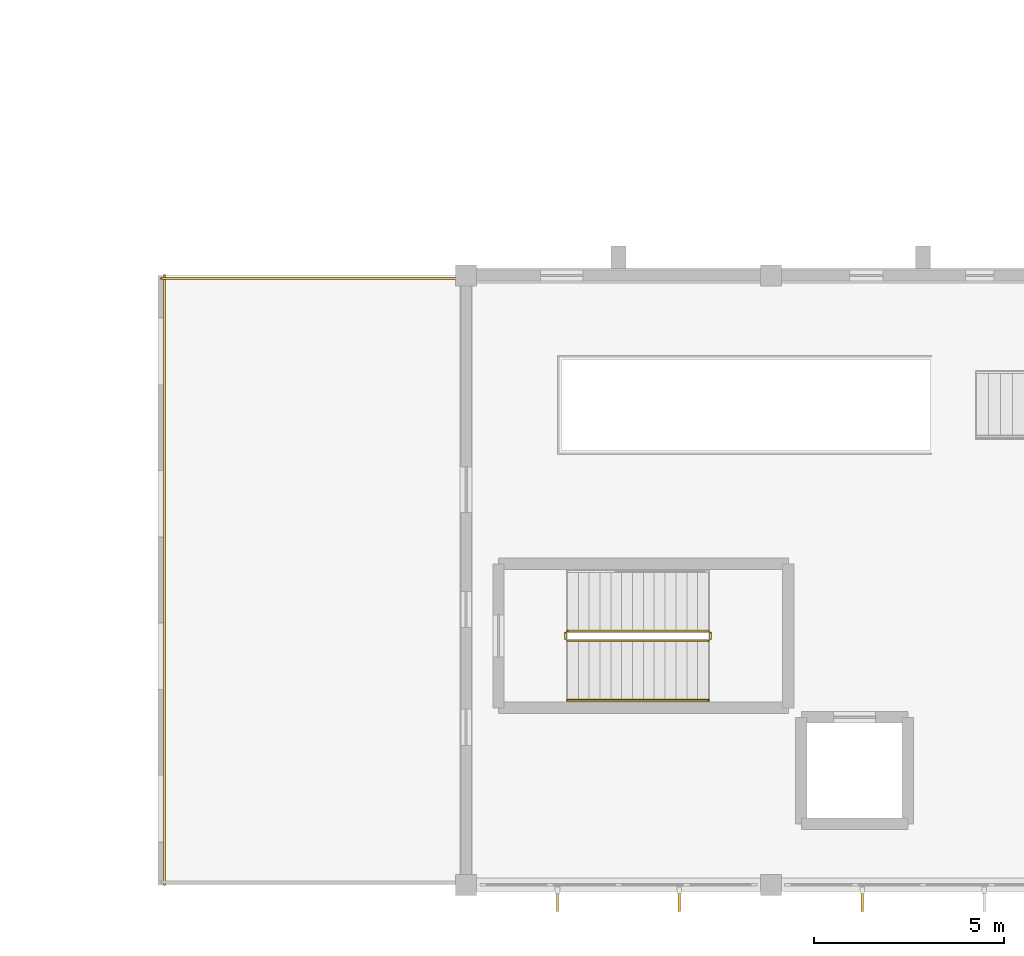
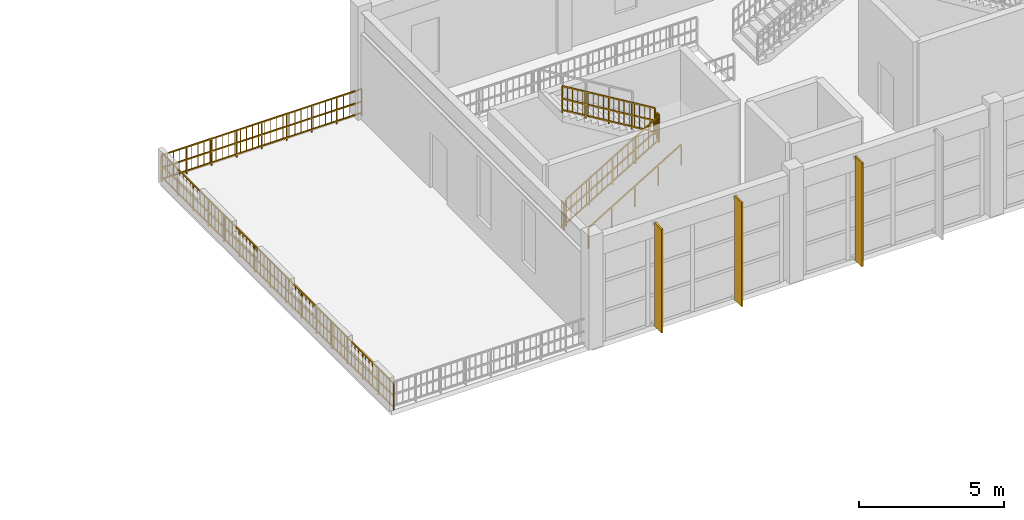
# One storey, part 53 of 59: 7 railings, 3 shading devices.
"""IFC4 building model written with IfcOpenShell, lengths in metres."""

from ifc_helpers import new_model, si_unit, direction, frame, origin, origin_2d, place, context, subcontext, project, spatial, rectangle, extrude, material, layer, layer_set, type_object, element, save


model = new_model("IFC4")

# Units and contexts
model_context = context("Model", 3, precision=1e-05, world=origin(), true_north=direction((0.0, 1.0)))
body_context = subcontext(model_context, "Body", "Model", "MODEL_VIEW")
ifc_project = project(units=[si_unit("LENGTHUNIT", "METRE"), si_unit("AREAUNIT", "SQUARE_METRE"), si_unit("VOLUMEUNIT", "CUBIC_METRE"), si_unit("PLANEANGLEUNIT", "RADIAN"), si_unit("MASSUNIT", "GRAM", prefix="KILO")], contexts=[model_context])

# Site, building, storey
site_placement = place(None, origin())
site = spatial("IfcSite", under=ifc_project, at=site_placement, CompositionType="ELEMENT")
building_placement = place(site_placement, origin())
building = spatial("IfcBuilding", under=site, at=building_placement, Name="Serraluz Foothill Cableway Terminal", CompositionType="ELEMENT")
storey_placement = place(building_placement, frame((0.0, 0.0, 4.800048828125)))
storey = spatial("IfcBuildingStorey", under=building, at=storey_placement, Name="L01", CompositionType="ELEMENT", Elevation=4.800048828125)

# Railings
ifc_material_1 = material(Name="Steel ASTM A572 Grade 50", Category="steel")
ifc_layer_1 = layer(ifc_material_1, 0.06005859375, Name="Steel ASTM A572 Grade 50", Category="steel")
ifc_layer_set_1 = layer_set([ifc_layer_1], Name="Steel ASTM A572 Grade 50")
railing_type_1 = type_object("IfcRailingType", Name="TYP-RL-BAL-1150", PredefinedType="BALUSTRADE", material=ifc_layer_set_1)
railing_1_placement = place(storey_placement, frame((88.080078125, 16.0, 0.0)))
element("IfcRailing", 1, at=railing_1_placement, inside=storey, type_object=railing_type_1, Name="BALUSTRADE BAL-TER-L01-V3-1", PredefinedType="BALUSTRADE", context=body_context, shape_type="SweptSolid", body=[
    extrude(rectangle(XDim=0.048095703125, YDim=0.048095703125, at=origin_2d()), frame((0.0, 0.0, 1.1259765625), z_axis=(0.0, -1.0, 0.0), x_axis=(1.0, 0.0, 0.0)), (0.0, 0.0, 1.0), 16.0),
    extrude(rectangle(XDim=0.048095703125, YDim=0.048095703125, at=origin_2d()), frame((0.0, 0.0, 0.597900390625), z_axis=(0.0, -1.0, 0.0), x_axis=(1.0, 0.0, 0.0)), (0.0, 0.0, 1.0), 16.0),
    extrude(rectangle(XDim=0.048095703125, YDim=0.048095703125, at=origin_2d()), frame((0.0, 0.0, 0.1201171875), z_axis=(0.0, -1.0, 0.0), x_axis=(1.0, 0.0, 0.0)), (0.0, 0.0, 1.0), 16.0),
    extrude(rectangle(XDim=0.02001953125, YDim=0.02001953125, at=origin_2d()), frame((0.0, -0.242431640625, 0.1201171875)), (0.0, 0.0, 1.0), 0.981689453125),
    extrude(rectangle(XDim=0.02001953125, YDim=0.02001953125, at=origin_2d()), frame((0.0, -0.48486328125, 0.1201171875)), (0.0, 0.0, 1.0), 0.981689453125),
    extrude(rectangle(XDim=0.02001953125, YDim=0.02001953125, at=origin_2d()), frame((0.0, -0.727294921875, 0.1201171875)), (0.0, 0.0, 1.0), 0.981689453125),
    extrude(rectangle(XDim=0.02001953125, YDim=0.02001953125, at=origin_2d()), frame((0.0, -0.9697265625, 0.1201171875)), (0.0, 0.0, 1.0), 0.981689453125),
    extrude(rectangle(XDim=0.02001953125, YDim=0.02001953125, at=origin_2d()), frame((0.0, -1.212158203125, 0.1201171875)), (0.0, 0.0, 1.0), 0.981689453125),
    extrude(rectangle(XDim=0.02001953125, YDim=0.02001953125, at=origin_2d()), frame((0.0, -1.45458984375, 0.1201171875)), (0.0, 0.0, 1.0), 0.981689453125),
    extrude(rectangle(XDim=0.02001953125, YDim=0.02001953125, at=origin_2d()), frame((0.0, -1.697021484375, 0.1201171875)), (0.0, 0.0, 1.0), 0.981689453125),
    extrude(rectangle(XDim=0.02001953125, YDim=0.02001953125, at=origin_2d()), frame((0.0, -1.939453125, 0.1201171875)), (0.0, 0.0, 1.0), 0.981689453125),
    extrude(rectangle(XDim=0.02001953125, YDim=0.02001953125, at=origin_2d()), frame((0.0, -2.42431640625, 0.1201171875)), (0.0, 0.0, 1.0), 0.981689453125),
    extrude(rectangle(XDim=0.02001953125, YDim=0.02001953125, at=origin_2d()), frame((0.0, -2.666748046875, 0.1201171875)), (0.0, 0.0, 1.0), 0.981689453125),
    extrude(rectangle(XDim=0.02001953125, YDim=0.02001953125, at=origin_2d()), frame((0.0, -2.9091796875, 0.1201171875)), (0.0, 0.0, 1.0), 0.981689453125),
    extrude(rectangle(XDim=0.02001953125, YDim=0.02001953125, at=origin_2d()), frame((0.0, -3.39404296875, 0.1201171875)), (0.0, 0.0, 1.0), 0.981689453125),
    extrude(rectangle(XDim=0.02001953125, YDim=0.02001953125, at=origin_2d()), frame((0.0, -3.636474609375, 0.1201171875)), (0.0, 0.0, 1.0), 0.981689453125),
    extrude(rectangle(XDim=0.02001953125, YDim=0.02001953125, at=origin_2d()), frame((0.0, -3.87890625, 0.1201171875)), (0.0, 0.0, 1.0), 0.981689453125),
    extrude(rectangle(XDim=0.02001953125, YDim=0.02001953125, at=origin_2d()), frame((0.0, -4.12109375, 0.1201171875)), (0.0, 0.0, 1.0), 0.981689453125),
    extrude(rectangle(XDim=0.02001953125, YDim=0.02001953125, at=origin_2d()), frame((0.0, -4.363525390625, 0.1201171875)), (0.0, 0.0, 1.0), 0.981689453125),
    extrude(rectangle(XDim=0.02001953125, YDim=0.02001953125, at=origin_2d()), frame((0.0, -4.60595703125, 0.1201171875)), (0.0, 0.0, 1.0), 0.981689453125),
    extrude(rectangle(XDim=0.02001953125, YDim=0.02001953125, at=origin_2d()), frame((0.0, -4.848388671875, 0.1201171875)), (0.0, 0.0, 1.0), 0.981689453125),
    extrude(rectangle(XDim=0.02001953125, YDim=0.02001953125, at=origin_2d()), frame((0.0, -5.0908203125, 0.1201171875)), (0.0, 0.0, 1.0), 0.981689453125),
    extrude(rectangle(XDim=0.02001953125, YDim=0.02001953125, at=origin_2d()), frame((0.0, -5.57568359375, 0.1201171875)), (0.0, 0.0, 1.0), 0.981689453125),
    extrude(rectangle(XDim=0.02001953125, YDim=0.02001953125, at=origin_2d()), frame((0.0, -5.818115234375, 0.1201171875)), (0.0, 0.0, 1.0), 0.981689453125),
    extrude(rectangle(XDim=0.02001953125, YDim=0.02001953125, at=origin_2d()), frame((0.0, -6.060546875, 0.1201171875)), (0.0, 0.0, 1.0), 0.981689453125),
    extrude(rectangle(XDim=0.02001953125, YDim=0.02001953125, at=origin_2d()), frame((0.0, -6.302978515625, 0.1201171875)), (0.0, 0.0, 1.0), 0.981689453125),
    extrude(rectangle(XDim=0.02001953125, YDim=0.02001953125, at=origin_2d()), frame((0.0, -6.54541015625, 0.1201171875)), (0.0, 0.0, 1.0), 0.981689453125),
    extrude(rectangle(XDim=0.02001953125, YDim=0.02001953125, at=origin_2d()), frame((0.0, -6.787841796875, 0.1201171875)), (0.0, 0.0, 1.0), 0.981689453125),
    extrude(rectangle(XDim=0.02001953125, YDim=0.02001953125, at=origin_2d()), frame((0.0, -7.0302734375, 0.1201171875)), (0.0, 0.0, 1.0), 0.981689453125),
    extrude(rectangle(XDim=0.02001953125, YDim=0.02001953125, at=origin_2d()), frame((0.0, -7.272705078125, 0.1201171875)), (0.0, 0.0, 1.0), 0.981689453125),
    extrude(rectangle(XDim=0.02001953125, YDim=0.02001953125, at=origin_2d()), frame((0.0, -7.757568359375, 0.1201171875)), (0.0, 0.0, 1.0), 0.981689453125),
    extrude(rectangle(XDim=0.02001953125, YDim=0.02001953125, at=origin_2d()), frame((0.0, -8.0, 0.1201171875)), (0.0, 0.0, 1.0), 0.981689453125),
    extrude(rectangle(XDim=0.02001953125, YDim=0.02001953125, at=origin_2d()), frame((0.0, -8.242431640625, 0.1201171875)), (0.0, 0.0, 1.0), 0.981689453125),
    extrude(rectangle(XDim=0.02001953125, YDim=0.02001953125, at=origin_2d()), frame((0.0, -8.727294921875, 0.1201171875)), (0.0, 0.0, 1.0), 0.981689453125),
    extrude(rectangle(XDim=0.02001953125, YDim=0.02001953125, at=origin_2d()), frame((0.0, -8.9697265625, 0.1201171875)), (0.0, 0.0, 1.0), 0.981689453125),
    extrude(rectangle(XDim=0.02001953125, YDim=0.02001953125, at=origin_2d()), frame((0.0, -9.212158203125, 0.1201171875)), (0.0, 0.0, 1.0), 0.981689453125),
    extrude(rectangle(XDim=0.02001953125, YDim=0.02001953125, at=origin_2d()), frame((0.0, -9.45458984375, 0.1201171875)), (0.0, 0.0, 1.0), 0.981689453125),
    extrude(rectangle(XDim=0.02001953125, YDim=0.02001953125, at=origin_2d()), frame((0.0, -9.697021484375, 0.1201171875)), (0.0, 0.0, 1.0), 0.981689453125),
    extrude(rectangle(XDim=0.02001953125, YDim=0.02001953125, at=origin_2d()), frame((0.0, -9.939453125, 0.1201171875)), (0.0, 0.0, 1.0), 0.981689453125),
    extrude(rectangle(XDim=0.02001953125, YDim=0.02001953125, at=origin_2d()), frame((0.0, -10.181884765625, 0.1201171875)), (0.0, 0.0, 1.0), 0.981689453125),
    extrude(rectangle(XDim=0.02001953125, YDim=0.02001953125, at=origin_2d()), frame((0.0, -10.42431640625, 0.1201171875)), (0.0, 0.0, 1.0), 0.981689453125),
    extrude(rectangle(XDim=0.02001953125, YDim=0.02001953125, at=origin_2d()), frame((0.0, -10.9091796875, 0.1201171875)), (0.0, 0.0, 1.0), 0.981689453125),
    extrude(rectangle(XDim=0.02001953125, YDim=0.02001953125, at=origin_2d()), frame((0.0, -11.151611328125, 0.1201171875)), (0.0, 0.0, 1.0), 0.981689453125),
    extrude(rectangle(XDim=0.02001953125, YDim=0.02001953125, at=origin_2d()), frame((0.0, -11.39404296875, 0.1201171875)), (0.0, 0.0, 1.0), 0.981689453125),
    extrude(rectangle(XDim=0.02001953125, YDim=0.02001953125, at=origin_2d()), frame((0.0, -11.636474609375, 0.1201171875)), (0.0, 0.0, 1.0), 0.981689453125),
    extrude(rectangle(XDim=0.02001953125, YDim=0.02001953125, at=origin_2d()), frame((0.0, -11.87890625, 0.1201171875)), (0.0, 0.0, 1.0), 0.981689453125),
    extrude(rectangle(XDim=0.02001953125, YDim=0.02001953125, at=origin_2d()), frame((0.0, -12.12109375, 0.1201171875)), (0.0, 0.0, 1.0), 0.981689453125),
    extrude(rectangle(XDim=0.02001953125, YDim=0.02001953125, at=origin_2d()), frame((0.0, -12.363525390625, 0.1201171875)), (0.0, 0.0, 1.0), 0.981689453125),
    extrude(rectangle(XDim=0.02001953125, YDim=0.02001953125, at=origin_2d()), frame((0.0, -12.60595703125, 0.1201171875)), (0.0, 0.0, 1.0), 0.981689453125),
    extrude(rectangle(XDim=0.02001953125, YDim=0.02001953125, at=origin_2d()), frame((0.0, -13.0908203125, 0.1201171875)), (0.0, 0.0, 1.0), 0.981689453125),
    extrude(rectangle(XDim=0.02001953125, YDim=0.02001953125, at=origin_2d()), frame((0.0, -13.333251953125, 0.1201171875)), (0.0, 0.0, 1.0), 0.981689453125),
    extrude(rectangle(XDim=0.02001953125, YDim=0.02001953125, at=origin_2d()), frame((0.0, -13.57568359375, 0.1201171875)), (0.0, 0.0, 1.0), 0.981689453125),
    extrude(rectangle(XDim=0.02001953125, YDim=0.02001953125, at=origin_2d()), frame((0.0, -14.060546875, 0.1201171875)), (0.0, 0.0, 1.0), 0.981689453125),
    extrude(rectangle(XDim=0.02001953125, YDim=0.02001953125, at=origin_2d()), frame((0.0, -14.302978515625, 0.1201171875)), (0.0, 0.0, 1.0), 0.981689453125),
    extrude(rectangle(XDim=0.02001953125, YDim=0.02001953125, at=origin_2d()), frame((0.0, -14.54541015625, 0.1201171875)), (0.0, 0.0, 1.0), 0.981689453125),
    extrude(rectangle(XDim=0.02001953125, YDim=0.02001953125, at=origin_2d()), frame((0.0, -14.787841796875, 0.1201171875)), (0.0, 0.0, 1.0), 0.981689453125),
    extrude(rectangle(XDim=0.02001953125, YDim=0.02001953125, at=origin_2d()), frame((0.0, -15.0302734375, 0.1201171875)), (0.0, 0.0, 1.0), 0.981689453125),
    extrude(rectangle(XDim=0.02001953125, YDim=0.02001953125, at=origin_2d()), frame((0.0, -15.272705078125, 0.1201171875)), (0.0, 0.0, 1.0), 0.981689453125),
    extrude(rectangle(XDim=0.02001953125, YDim=0.02001953125, at=origin_2d()), frame((0.0, -15.51513671875, 0.1201171875)), (0.0, 0.0, 1.0), 0.981689453125),
    extrude(rectangle(XDim=0.02001953125, YDim=0.02001953125, at=origin_2d()), frame((0.0, -15.757568359375, 0.1201171875)), (0.0, 0.0, 1.0), 0.981689453125),
    extrude(rectangle(XDim=0.0439453125, YDim=0.0439453125, at=origin_2d()), origin(), (0.0, 0.0, 1.0), 1.101806640625),
    extrude(rectangle(XDim=0.0439453125, YDim=0.0439453125, at=origin_2d()), frame((0.0, -1.066650390625, 0.0)), (0.0, 0.0, 1.0), 1.101806640625),
    extrude(rectangle(XDim=0.0439453125, YDim=0.0439453125, at=origin_2d()), frame((0.0, -2.13330078125, 0.0)), (0.0, 0.0, 1.0), 1.101806640625),
    extrude(rectangle(XDim=0.0439453125, YDim=0.0439453125, at=origin_2d()), frame((0.0, -3.199951171875, 0.0)), (0.0, 0.0, 1.0), 1.101806640625),
    extrude(rectangle(XDim=0.0439453125, YDim=0.0439453125, at=origin_2d()), frame((0.0, -4.2666015625, 0.0)), (0.0, 0.0, 1.0), 1.101806640625),
    extrude(rectangle(XDim=0.0439453125, YDim=0.0439453125, at=origin_2d()), frame((0.0, -5.333251953125, 0.0)), (0.0, 0.0, 1.0), 1.101806640625),
    extrude(rectangle(XDim=0.0439453125, YDim=0.0439453125, at=origin_2d()), frame((0.0, -6.39990234375, 0.0)), (0.0, 0.0, 1.0), 1.101806640625),
    extrude(rectangle(XDim=0.0439453125, YDim=0.0439453125, at=origin_2d()), frame((0.0, -7.466552734375, 0.0)), (0.0, 0.0, 1.0), 1.101806640625),
    extrude(rectangle(XDim=0.0439453125, YDim=0.0439453125, at=origin_2d()), frame((0.0, -8.533447265625, 0.0)), (0.0, 0.0, 1.0), 1.101806640625),
    extrude(rectangle(XDim=0.0439453125, YDim=0.0439453125, at=origin_2d()), frame((0.0, -9.60009765625, 0.0)), (0.0, 0.0, 1.0), 1.101806640625),
    extrude(rectangle(XDim=0.0439453125, YDim=0.0439453125, at=origin_2d()), frame((0.0, -10.666748046875, 0.0)), (0.0, 0.0, 1.0), 1.101806640625),
    extrude(rectangle(XDim=0.0439453125, YDim=0.0439453125, at=origin_2d()), frame((0.0, -11.7333984375, 0.0)), (0.0, 0.0, 1.0), 1.101806640625),
    extrude(rectangle(XDim=0.0439453125, YDim=0.0439453125, at=origin_2d()), frame((0.0, -12.800048828125, 0.0)), (0.0, 0.0, 1.0), 1.101806640625),
    extrude(rectangle(XDim=0.0439453125, YDim=0.0439453125, at=origin_2d()), frame((0.0, -13.86669921875, 0.0)), (0.0, 0.0, 1.0), 1.101806640625),
    extrude(rectangle(XDim=0.0439453125, YDim=0.0439453125, at=origin_2d()), frame((0.0, -14.933349609375, 0.0)), (0.0, 0.0, 1.0), 1.101806640625),
    extrude(rectangle(XDim=0.0439453125, YDim=0.0439453125, at=origin_2d()), frame((0.0, -16.0, 0.0)), (0.0, 0.0, 1.0), 1.101806640625),
])
railing_2_placement = place(storey_placement, frame((88.0, 15.919921875, 0.0)))
element("IfcRailing", 2, at=railing_2_placement, inside=storey, type_object=railing_type_1, Name="BALUSTRADE BAL-TER-L01-V3-3", PredefinedType="BALUSTRADE", context=body_context, shape_type="SweptSolid", body=[
    extrude(rectangle(XDim=0.048095703125, YDim=0.048095703125, at=origin_2d()), frame((0.0, 0.0, 1.1259765625), z_axis=(1.0, 0.0, 0.0), x_axis=(0.0, 1.0, 0.0)), (0.0, 0.0, 1.0), 8.0),
    extrude(rectangle(XDim=0.048095703125, YDim=0.048095703125, at=origin_2d()), frame((0.0, 0.0, 0.597900390625), z_axis=(1.0, 0.0, 0.0), x_axis=(0.0, 1.0, 0.0)), (0.0, 0.0, 1.0), 8.0),
    extrude(rectangle(XDim=0.048095703125, YDim=0.048095703125, at=origin_2d()), frame((0.0, 0.0, 0.1201171875), z_axis=(1.0, 0.0, 0.0), x_axis=(0.0, 1.0, 0.0)), (0.0, 0.0, 1.0), 8.0),
    extrude(rectangle(XDim=0.02001953125, YDim=0.02001953125, at=origin_2d()), frame((0.242431640625, 0.0, 0.1201171875)), (0.0, 0.0, 1.0), 0.981689453125),
    extrude(rectangle(XDim=0.02001953125, YDim=0.02001953125, at=origin_2d()), frame((0.48486328125, 0.0, 0.1201171875)), (0.0, 0.0, 1.0), 0.981689453125),
    extrude(rectangle(XDim=0.02001953125, YDim=0.02001953125, at=origin_2d()), frame((0.727294921875, 0.0, 0.1201171875)), (0.0, 0.0, 1.0), 0.981689453125),
    extrude(rectangle(XDim=0.02001953125, YDim=0.02001953125, at=origin_2d()), frame((1.212158203125, 0.0, 0.1201171875)), (0.0, 0.0, 1.0), 0.981689453125),
    extrude(rectangle(XDim=0.02001953125, YDim=0.02001953125, at=origin_2d()), frame((1.45458984375, 0.0, 0.1201171875)), (0.0, 0.0, 1.0), 0.981689453125),
    extrude(rectangle(XDim=0.02001953125, YDim=0.02001953125, at=origin_2d()), frame((1.697021484375, 0.0, 0.1201171875)), (0.0, 0.0, 1.0), 0.981689453125),
    extrude(rectangle(XDim=0.02001953125, YDim=0.02001953125, at=origin_2d()), frame((1.939453125, 0.0, 0.1201171875)), (0.0, 0.0, 1.0), 0.981689453125),
    extrude(rectangle(XDim=0.02001953125, YDim=0.02001953125, at=origin_2d()), frame((2.181884765625, 0.0, 0.1201171875)), (0.0, 0.0, 1.0), 0.981689453125),
    extrude(rectangle(XDim=0.02001953125, YDim=0.02001953125, at=origin_2d()), frame((2.42431640625, 0.0, 0.1201171875)), (0.0, 0.0, 1.0), 0.981689453125),
    extrude(rectangle(XDim=0.02001953125, YDim=0.02001953125, at=origin_2d()), frame((2.666748046875, 0.0, 0.1201171875)), (0.0, 0.0, 1.0), 0.981689453125),
    extrude(rectangle(XDim=0.02001953125, YDim=0.02001953125, at=origin_2d()), frame((2.9091796875, 0.0, 0.1201171875)), (0.0, 0.0, 1.0), 0.981689453125),
    extrude(rectangle(XDim=0.02001953125, YDim=0.02001953125, at=origin_2d()), frame((3.151611328125, 0.0, 0.1201171875)), (0.0, 0.0, 1.0), 0.981689453125),
    extrude(rectangle(XDim=0.02001953125, YDim=0.02001953125, at=origin_2d()), frame((3.39404296875, 0.0, 0.1201171875)), (0.0, 0.0, 1.0), 0.981689453125),
    extrude(rectangle(XDim=0.02001953125, YDim=0.02001953125, at=origin_2d()), frame((3.636474609375, 0.0, 0.1201171875)), (0.0, 0.0, 1.0), 0.981689453125),
    extrude(rectangle(XDim=0.02001953125, YDim=0.02001953125, at=origin_2d()), frame((3.87890625, 0.0, 0.1201171875)), (0.0, 0.0, 1.0), 0.981689453125),
    extrude(rectangle(XDim=0.02001953125, YDim=0.02001953125, at=origin_2d()), frame((4.12109375, 0.0, 0.1201171875)), (0.0, 0.0, 1.0), 0.981689453125),
    extrude(rectangle(XDim=0.02001953125, YDim=0.02001953125, at=origin_2d()), frame((4.363525390625, 0.0, 0.1201171875)), (0.0, 0.0, 1.0), 0.981689453125),
    extrude(rectangle(XDim=0.02001953125, YDim=0.02001953125, at=origin_2d()), frame((4.60595703125, 0.0, 0.1201171875)), (0.0, 0.0, 1.0), 0.981689453125),
    extrude(rectangle(XDim=0.02001953125, YDim=0.02001953125, at=origin_2d()), frame((4.848388671875, 0.0, 0.1201171875)), (0.0, 0.0, 1.0), 0.981689453125),
    extrude(rectangle(XDim=0.02001953125, YDim=0.02001953125, at=origin_2d()), frame((5.0908203125, 0.0, 0.1201171875)), (0.0, 0.0, 1.0), 0.981689453125),
    extrude(rectangle(XDim=0.02001953125, YDim=0.02001953125, at=origin_2d()), frame((5.333251953125, 0.0, 0.1201171875)), (0.0, 0.0, 1.0), 0.981689453125),
    extrude(rectangle(XDim=0.02001953125, YDim=0.02001953125, at=origin_2d()), frame((5.57568359375, 0.0, 0.1201171875)), (0.0, 0.0, 1.0), 0.981689453125),
    extrude(rectangle(XDim=0.02001953125, YDim=0.02001953125, at=origin_2d()), frame((5.818115234375, 0.0, 0.1201171875)), (0.0, 0.0, 1.0), 0.981689453125),
    extrude(rectangle(XDim=0.02001953125, YDim=0.02001953125, at=origin_2d()), frame((6.060546875, 0.0, 0.1201171875)), (0.0, 0.0, 1.0), 0.981689453125),
    extrude(rectangle(XDim=0.02001953125, YDim=0.02001953125, at=origin_2d()), frame((6.302978515625, 0.0, 0.1201171875)), (0.0, 0.0, 1.0), 0.981689453125),
    extrude(rectangle(XDim=0.02001953125, YDim=0.02001953125, at=origin_2d()), frame((6.54541015625, 0.0, 0.1201171875)), (0.0, 0.0, 1.0), 0.981689453125),
    extrude(rectangle(XDim=0.02001953125, YDim=0.02001953125, at=origin_2d()), frame((6.787841796875, 0.0, 0.1201171875)), (0.0, 0.0, 1.0), 0.981689453125),
    extrude(rectangle(XDim=0.02001953125, YDim=0.02001953125, at=origin_2d()), frame((7.272705078125, 0.0, 0.1201171875)), (0.0, 0.0, 1.0), 0.981689453125),
    extrude(rectangle(XDim=0.02001953125, YDim=0.02001953125, at=origin_2d()), frame((7.51513671875, 0.0, 0.1201171875)), (0.0, 0.0, 1.0), 0.981689453125),
    extrude(rectangle(XDim=0.02001953125, YDim=0.02001953125, at=origin_2d()), frame((7.757568359375, 0.0, 0.1201171875)), (0.0, 0.0, 1.0), 0.981689453125),
    extrude(rectangle(XDim=0.0439453125, YDim=0.0439453125, at=origin_2d()), origin(), (0.0, 0.0, 1.0), 1.101806640625),
    extrude(rectangle(XDim=0.0439453125, YDim=0.0439453125, at=origin_2d()), frame((1.0, 0.0, 0.0)), (0.0, 0.0, 1.0), 1.101806640625),
    extrude(rectangle(XDim=0.0439453125, YDim=0.0439453125, at=origin_2d()), frame((2.0, 0.0, 0.0)), (0.0, 0.0, 1.0), 1.101806640625),
    extrude(rectangle(XDim=0.0439453125, YDim=0.0439453125, at=origin_2d()), frame((3.0, 0.0, 0.0)), (0.0, 0.0, 1.0), 1.101806640625),
    extrude(rectangle(XDim=0.0439453125, YDim=0.0439453125, at=origin_2d()), frame((4.0, 0.0, 0.0)), (0.0, 0.0, 1.0), 1.101806640625),
    extrude(rectangle(XDim=0.0439453125, YDim=0.0439453125, at=origin_2d()), frame((5.0, 0.0, 0.0)), (0.0, 0.0, 1.0), 1.101806640625),
    extrude(rectangle(XDim=0.0439453125, YDim=0.0439453125, at=origin_2d()), frame((6.0, 0.0, 0.0)), (0.0, 0.0, 1.0), 1.101806640625),
    extrude(rectangle(XDim=0.0439453125, YDim=0.0439453125, at=origin_2d()), frame((7.0, 0.0, 0.0)), (0.0, 0.0, 1.0), 1.101806640625),
    extrude(rectangle(XDim=0.0439453125, YDim=0.0439453125, at=origin_2d()), frame((8.0, 0.0, 0.0)), (0.0, 0.0, 1.0), 1.101806640625),
])
ifc_layer_2 = layer(ifc_material_1, 0.054931640625, Name="Steel ASTM A572 Grade 50", Category="steel")
ifc_layer_set_2 = layer_set([ifc_layer_2], Name="Steel ASTM A572 Grade 50")
railing_type_2 = type_object("IfcRailingType", Name="TYP-RL-GRD-1150", PredefinedType="GUARDRAIL", material=ifc_layer_set_2)
railing_3_placement = place(storey_placement, frame((98.659912109375, 6.409912109375, 0.17138671875)))
element("IfcRailing", 3, at=railing_3_placement, inside=storey, type_object=railing_type_2, Name="L01 ST-06 stair guard 1", PredefinedType="GUARDRAIL", context=body_context, shape_type="SweptSolid", body=[
    extrude(rectangle(XDim=0.048095703125, YDim=0.048095703125, at=origin_2d()), frame((0.0, 0.0, 1.1259765625), z_axis=(0.856934400257, 0.0, 0.515425487977), x_axis=(0.0, 1.0, 0.0)), (0.0, 0.0, 1.0), 4.32373046875),
    extrude(rectangle(XDim=0.048095703125, YDim=0.048095703125, at=origin_2d()), frame((0.0, 0.0, 0.597900390625), z_axis=(0.856934400257, 0.0, 0.515425487977), x_axis=(0.0, 1.0, 0.0)), (0.0, 0.0, 1.0), 4.32373046875),
    extrude(rectangle(XDim=0.048095703125, YDim=0.048095703125, at=origin_2d()), frame((0.0, 0.0, 0.1201171875), z_axis=(0.856934400257, 0.0, 0.515425487977), x_axis=(0.0, 1.0, 0.0)), (0.0, 0.0, 1.0), 4.32373046875),
    extrude(rectangle(XDim=0.02001953125, YDim=0.02001953125, at=origin_2d()), frame((0.205810546875, 0.0, 0.243896484375)), (0.0, 0.0, 1.0), 0.981689453125),
    extrude(rectangle(XDim=0.02001953125, YDim=0.02001953125, at=origin_2d()), frame((0.41162109375, 0.0, 0.36767578125)), (0.0, 0.0, 1.0), 0.981689453125),
    extrude(rectangle(XDim=0.02001953125, YDim=0.02001953125, at=origin_2d()), frame((0.617431640625, 0.0, 0.491455078125)), (0.0, 0.0, 1.0), 0.981689453125),
    extrude(rectangle(XDim=0.02001953125, YDim=0.02001953125, at=origin_2d()), frame((0.8232421875, 0.0, 0.615234375)), (0.0, 0.0, 1.0), 0.981689453125),
    extrude(rectangle(XDim=0.02001953125, YDim=0.02001953125, at=origin_2d()), frame((1.029296875, 0.0, 0.739013671875)), (0.0, 0.0, 1.0), 0.981689453125),
    extrude(rectangle(XDim=0.02001953125, YDim=0.02001953125, at=origin_2d()), frame((1.235107421875, 0.0, 0.86279296875)), (0.0, 0.0, 1.0), 0.981689453125),
    extrude(rectangle(XDim=0.02001953125, YDim=0.02001953125, at=origin_2d()), frame((1.44091796875, 0.0, 0.986572265625)), (0.0, 0.0, 1.0), 0.981689453125),
    extrude(rectangle(XDim=0.02001953125, YDim=0.02001953125, at=origin_2d()), frame((1.646728515625, 0.0, 1.1103515625)), (0.0, 0.0, 1.0), 0.981689453125),
    extrude(rectangle(XDim=0.02001953125, YDim=0.02001953125, at=origin_2d()), frame((2.058349609375, 0.0, 1.358154296875)), (0.0, 0.0, 1.0), 0.981689453125),
    extrude(rectangle(XDim=0.02001953125, YDim=0.02001953125, at=origin_2d()), frame((2.26416015625, 0.0, 1.48193359375)), (0.0, 0.0, 1.0), 0.981689453125),
    extrude(rectangle(XDim=0.02001953125, YDim=0.02001953125, at=origin_2d()), frame((2.469970703125, 0.0, 1.605712890625)), (0.0, 0.0, 1.0), 0.981689453125),
    extrude(rectangle(XDim=0.02001953125, YDim=0.02001953125, at=origin_2d()), frame((2.67578125, 0.0, 1.7294921875)), (0.0, 0.0, 1.0), 0.981689453125),
    extrude(rectangle(XDim=0.02001953125, YDim=0.02001953125, at=origin_2d()), frame((2.8818359375, 0.0, 1.853271484375)), (0.0, 0.0, 1.0), 0.981689453125),
    extrude(rectangle(XDim=0.02001953125, YDim=0.02001953125, at=origin_2d()), frame((3.087646484375, 0.0, 1.97705078125)), (0.0, 0.0, 1.0), 0.981689453125),
    extrude(rectangle(XDim=0.02001953125, YDim=0.02001953125, at=origin_2d()), frame((3.29345703125, 0.0, 2.100830078125)), (0.0, 0.0, 1.0), 0.981689453125),
    extrude(rectangle(XDim=0.02001953125, YDim=0.02001953125, at=origin_2d()), frame((3.499267578125, 0.0, 2.224609375)), (0.0, 0.0, 1.0), 0.981689453125),
    extrude(rectangle(XDim=0.0439453125, YDim=0.0439453125, at=origin_2d()), origin(), (0.0, 0.0, 1.0), 1.101806640625),
    extrude(rectangle(XDim=0.0439453125, YDim=0.0439453125, at=origin_2d()), frame((0.92626953125, 0.0, 0.55712890625)), (0.0, 0.0, 1.0), 1.101806640625),
    extrude(rectangle(XDim=0.0439453125, YDim=0.0439453125, at=origin_2d()), frame((1.8525390625, 0.0, 1.1142578125)), (0.0, 0.0, 1.0), 1.101806640625),
    extrude(rectangle(XDim=0.0439453125, YDim=0.0439453125, at=origin_2d()), frame((2.77880859375, 0.0, 1.67138671875)), (0.0, 0.0, 1.0), 1.101806640625),
    extrude(rectangle(XDim=0.0439453125, YDim=0.0439453125, at=origin_2d()), frame((3.705078125, 0.0, 2.228515625)), (0.0, 0.0, 1.0), 1.101806640625),
])
railing_4_placement = place(storey_placement, frame((102.4150390625, 6.4599609375, 2.39990234375)))
element("IfcRailing", 4, at=railing_4_placement, inside=storey, type_object=railing_type_2, Name="L01 ST-06 stair guard 2", PredefinedType="GUARDRAIL", context=body_context, shape_type="SweptSolid", body=[
    extrude(rectangle(XDim=0.048095703125, YDim=0.048095703125, at=origin_2d()), frame((0.0, 0.0, 1.1259765625), z_axis=(0.0, 1.0, 0.0), x_axis=(-1.0, 0.0, 0.0)), (0.0, 0.0, 1.0), 0.16015625),
    extrude(rectangle(XDim=0.048095703125, YDim=0.048095703125, at=origin_2d()), frame((0.0, 0.0, 0.597900390625), z_axis=(0.0, 1.0, 0.0), x_axis=(-1.0, 0.0, 0.0)), (0.0, 0.0, 1.0), 0.16015625),
    extrude(rectangle(XDim=0.048095703125, YDim=0.048095703125, at=origin_2d()), frame((0.0, 0.0, 0.1201171875), z_axis=(0.0, 1.0, 0.0), x_axis=(-1.0, 0.0, 0.0)), (0.0, 0.0, 1.0), 0.16015625),
    extrude(rectangle(XDim=0.0439453125, YDim=0.0439453125, at=origin_2d()), origin(), (0.0, 0.0, 1.0), 1.101806640625),
    extrude(rectangle(XDim=0.0439453125, YDim=0.0439453125, at=origin_2d()), frame((0.0, 0.16015625, 0.0)), (0.0, 0.0, 1.0), 1.101806640625),
])
railing_5_placement = place(storey_placement, frame((102.364990234375, 6.669921875, 2.5712890625)))
element("IfcRailing", 5, at=railing_5_placement, inside=storey, type_object=railing_type_2, Name="L01 ST-06 stair guard 3", PredefinedType="GUARDRAIL", context=body_context, shape_type="SweptSolid", body=[
    extrude(rectangle(XDim=0.048095703125, YDim=0.048095703125, at=origin_2d()), frame((0.0, 0.0, 1.1259765625), z_axis=(-0.856909459561, 0.0, 0.515466951525), x_axis=(0.0, -1.0, 0.0)), (0.0, 0.0, 1.0), 4.32373046875),
    extrude(rectangle(XDim=0.048095703125, YDim=0.048095703125, at=origin_2d()), frame((0.0, 0.0, 0.597900390625), z_axis=(-0.856909459561, 0.0, 0.515466951525), x_axis=(0.0, -1.0, 0.0)), (0.0, 0.0, 1.0), 4.32373046875),
    extrude(rectangle(XDim=0.048095703125, YDim=0.048095703125, at=origin_2d()), frame((0.0, 0.0, 0.1201171875), z_axis=(-0.856909459561, 0.0, 0.515466951525), x_axis=(0.0, -1.0, 0.0)), (0.0, 0.0, 1.0), 4.32373046875),
    extrude(rectangle(XDim=0.02001953125, YDim=0.02001953125, at=origin_2d()), frame((-0.205810546875, 0.0, 0.243896484375)), (0.0, 0.0, 1.0), 0.981689453125),
    extrude(rectangle(XDim=0.02001953125, YDim=0.02001953125, at=origin_2d()), frame((-0.41162109375, 0.0, 0.36767578125)), (0.0, 0.0, 1.0), 0.981689453125),
    extrude(rectangle(XDim=0.02001953125, YDim=0.02001953125, at=origin_2d()), frame((-0.617431640625, 0.0, 0.491455078125)), (0.0, 0.0, 1.0), 0.981689453125),
    extrude(rectangle(XDim=0.02001953125, YDim=0.02001953125, at=origin_2d()), frame((-0.8232421875, 0.0, 0.615234375)), (0.0, 0.0, 1.0), 0.981689453125),
    extrude(rectangle(XDim=0.02001953125, YDim=0.02001953125, at=origin_2d()), frame((-1.029296875, 0.0, 0.739013671875)), (0.0, 0.0, 1.0), 0.981689453125),
    extrude(rectangle(XDim=0.02001953125, YDim=0.02001953125, at=origin_2d()), frame((-1.235107421875, 0.0, 0.863037109375)), (0.0, 0.0, 1.0), 0.981689453125),
    extrude(rectangle(XDim=0.02001953125, YDim=0.02001953125, at=origin_2d()), frame((-1.44091796875, 0.0, 0.98681640625)), (0.0, 0.0, 1.0), 0.981689453125),
    extrude(rectangle(XDim=0.02001953125, YDim=0.02001953125, at=origin_2d()), frame((-1.646728515625, 0.0, 1.110595703125)), (0.0, 0.0, 1.0), 0.981689453125),
    extrude(rectangle(XDim=0.02001953125, YDim=0.02001953125, at=origin_2d()), frame((-2.058349609375, 0.0, 1.358154296875)), (0.0, 0.0, 1.0), 0.981689453125),
    extrude(rectangle(XDim=0.02001953125, YDim=0.02001953125, at=origin_2d()), frame((-2.26416015625, 0.0, 1.48193359375)), (0.0, 0.0, 1.0), 0.981689453125),
    extrude(rectangle(XDim=0.02001953125, YDim=0.02001953125, at=origin_2d()), frame((-2.469970703125, 0.0, 1.60595703125)), (0.0, 0.0, 1.0), 0.981689453125),
    extrude(rectangle(XDim=0.02001953125, YDim=0.02001953125, at=origin_2d()), frame((-2.67578125, 0.0, 1.729736328125)), (0.0, 0.0, 1.0), 0.981689453125),
    extrude(rectangle(XDim=0.02001953125, YDim=0.02001953125, at=origin_2d()), frame((-2.8818359375, 0.0, 1.853515625)), (0.0, 0.0, 1.0), 0.981689453125),
    extrude(rectangle(XDim=0.02001953125, YDim=0.02001953125, at=origin_2d()), frame((-3.087646484375, 0.0, 1.977294921875)), (0.0, 0.0, 1.0), 0.981689453125),
    extrude(rectangle(XDim=0.02001953125, YDim=0.02001953125, at=origin_2d()), frame((-3.29345703125, 0.0, 2.10107421875)), (0.0, 0.0, 1.0), 0.981689453125),
    extrude(rectangle(XDim=0.02001953125, YDim=0.02001953125, at=origin_2d()), frame((-3.499267578125, 0.0, 2.224853515625)), (0.0, 0.0, 1.0), 0.981689453125),
    extrude(rectangle(XDim=0.0439453125, YDim=0.0439453125, at=origin_2d()), origin(), (0.0, 0.0, 1.0), 1.101806640625),
    extrude(rectangle(XDim=0.0439453125, YDim=0.0439453125, at=origin_2d()), frame((-0.92626953125, 0.0, 0.55712890625)), (0.0, 0.0, 1.0), 1.101806640625),
    extrude(rectangle(XDim=0.0439453125, YDim=0.0439453125, at=origin_2d()), frame((-1.8525390625, 0.0, 1.1142578125)), (0.0, 0.0, 1.0), 1.101806640625),
    extrude(rectangle(XDim=0.0439453125, YDim=0.0439453125, at=origin_2d()), frame((-2.77880859375, 0.0, 1.671630859375)), (0.0, 0.0, 1.0), 1.101806640625),
    extrude(rectangle(XDim=0.0439453125, YDim=0.0439453125, at=origin_2d()), frame((-3.705078125, 0.0, 2.228759765625)), (0.0, 0.0, 1.0), 1.101806640625),
])
railing_6_placement = place(storey_placement, frame((98.610107421875, 6.4599609375, 0.0)))
element("IfcRailing", 6, at=railing_6_placement, inside=storey, type_object=railing_type_2, Name="L01 ST-06 stair guard 4", PredefinedType="GUARDRAIL", context=body_context, shape_type="SweptSolid", body=[
    extrude(rectangle(XDim=0.048095703125, YDim=0.048095703125, at=origin_2d()), frame((0.0, 0.0, 1.1259765625), z_axis=(0.0, 1.0, 0.0), x_axis=(-1.0, 0.0, 0.0)), (0.0, 0.0, 1.0), 0.16015625),
    extrude(rectangle(XDim=0.048095703125, YDim=0.048095703125, at=origin_2d()), frame((0.0, 0.0, 0.597900390625), z_axis=(0.0, 1.0, 0.0), x_axis=(-1.0, 0.0, 0.0)), (0.0, 0.0, 1.0), 0.16015625),
    extrude(rectangle(XDim=0.048095703125, YDim=0.048095703125, at=origin_2d()), frame((0.0, 0.0, 0.1201171875), z_axis=(0.0, 1.0, 0.0), x_axis=(-1.0, 0.0, 0.0)), (0.0, 0.0, 1.0), 0.16015625),
    extrude(rectangle(XDim=0.0439453125, YDim=0.0439453125, at=origin_2d()), origin(), (0.0, 0.0, 1.0), 1.101806640625),
    extrude(rectangle(XDim=0.0439453125, YDim=0.0439453125, at=origin_2d()), frame((0.0, 0.16015625, 0.0)), (0.0, 0.0, 1.0), 1.101806640625),
])
ifc_material_2 = material(Name="Architectural bronze alloy C28000", Category="aluminium")
ifc_layer_3 = layer(ifc_material_2, 0.048095703125, Name="Architectural bronze alloy C28000", Category="aluminium")
ifc_layer_set_3 = layer_set([ifc_layer_3], Name="Architectural bronze alloy C28000")
railing_type_3 = type_object("IfcRailingType", Name="TYP-RL-HND-920", PredefinedType="HANDRAIL", material=ifc_layer_set_3)
railing_7_placement = place(storey_placement, frame((98.659912109375, 4.85009765625, 0.17138671875)))
element("IfcRailing", 7, at=railing_7_placement, inside=storey, type_object=railing_type_3, Name="L01 ST-06 stair handrail 1", PredefinedType="HANDRAIL", context=body_context, shape_type="SweptSolid", body=[
    extrude(rectangle(XDim=0.048095703125, YDim=0.048095703125, at=origin_2d()), frame((0.0, 0.0, 0.8759765625), z_axis=(0.856934400257, 0.0, 0.515425487977), x_axis=(0.0, 1.0, 0.0)), (0.0, 0.0, 1.0), 4.32373046875),
    extrude(rectangle(XDim=0.0439453125, YDim=0.0439453125, at=origin_2d()), origin(), (0.0, 0.0, 1.0), 0.851806640625),
    extrude(rectangle(XDim=0.0439453125, YDim=0.0439453125, at=origin_2d()), frame((0.92626953125, 0.0, 0.55712890625)), (0.0, 0.0, 1.0), 0.851806640625),
    extrude(rectangle(XDim=0.0439453125, YDim=0.0439453125, at=origin_2d()), frame((1.8525390625, 0.0, 1.1142578125)), (0.0, 0.0, 1.0), 0.851806640625),
    extrude(rectangle(XDim=0.0439453125, YDim=0.0439453125, at=origin_2d()), frame((2.77880859375, 0.0, 1.67138671875)), (0.0, 0.0, 1.0), 0.851806640625),
    extrude(rectangle(XDim=0.0439453125, YDim=0.0439453125, at=origin_2d()), frame((3.705078125, 0.0, 2.228515625)), (0.0, 0.0, 1.0), 0.851806640625),
])

# Shading devices
shading_device_type = type_object("IfcShadingDeviceType", Name="TYP-SHD-FIN-480", PredefinedType="JALOUSIE", material=ifc_material_2)
for number, where, z_axis, x_axis, name in (
    (8, (98.39990234375, -0.455078125, 0.06005859375), (0.0, 0.0, 1.0), (1.0, 0.0, 0.0), "Belvedere Vertical Solar Fin SHD-0001"),
    (9, (101.60009765625, -0.455078125, 0.06005859375), (0.0, 0.0, 1.0), (1.0, 0.0, 0.0), "Belvedere Vertical Solar Fin SHD-0003"),
    (10, (106.39990234375, -0.455078125, 0.06005859375), (0.0, 0.0, 1.0), (1.0, 0.0, 0.0), "Belvedere Vertical Solar Fin SHD-0005"),
):
    element("IfcShadingDevice", number, at=place(storey_placement, frame(where, z_axis=z_axis, x_axis=x_axis)), inside=storey, type_object=shading_device_type, Name=name, PredefinedType="JALOUSIE", context=body_context, shape_type="SweptSolid", body=[
        extrude(rectangle(XDim=0.06494140625, YDim=0.47998046875, at=origin_2d()), origin(), (0.0, 0.0, 1.0), 4.3798828125),
    ])

save(model, "model.ifc")
